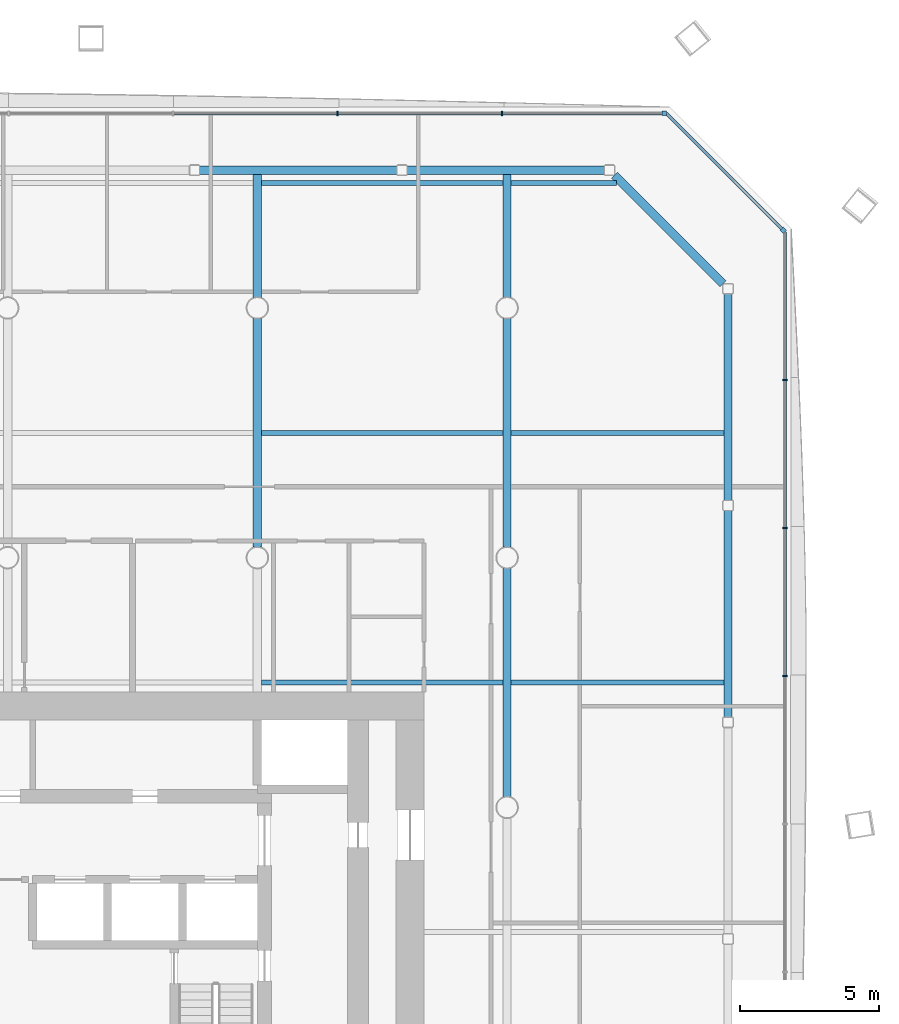
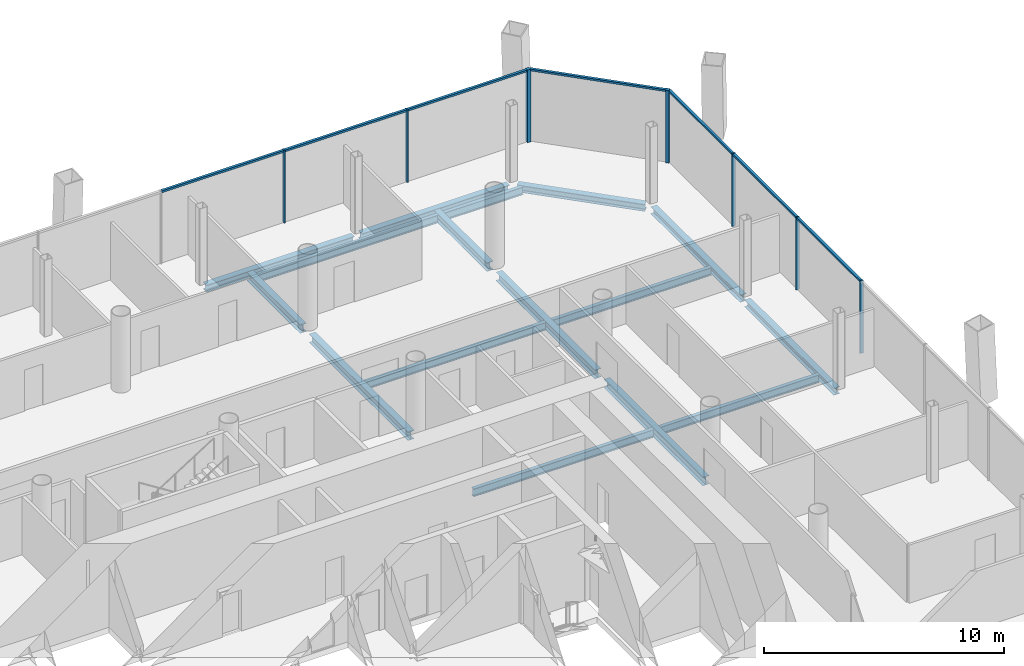
# One storey, part 9 of 19: 16 beams, 14 members, 3 elements without a shape of their own.
"""IFC4 building model written with IfcOpenShell, lengths in metres."""

from ifc_helpers import new_model, si_unit, direction, frame, origin, origin_2d, place, context, subcontext, project, spatial, rectangle, i_section, extrude, material, material_profile, profile_set, type_object, element, aggregate, save


model = new_model("IFC4")

# Units and contexts
model_context = context("Model", 3, precision=1e-05, world=origin(), true_north=direction((0.0, 1.0)))
body_context = subcontext(model_context, "Body", "Model", "MODEL_VIEW")
ifc_project = project(units=[si_unit("LENGTHUNIT", "METRE"), si_unit("AREAUNIT", "SQUARE_METRE"), si_unit("VOLUMEUNIT", "CUBIC_METRE"), si_unit("PLANEANGLEUNIT", "RADIAN"), si_unit("MASSUNIT", "GRAM", prefix="KILO")], contexts=[model_context])

# Site, building, storey
site_placement = place(None, origin())
site = spatial("IfcSite", under=ifc_project, at=site_placement, CompositionType="ELEMENT")
building_placement = place(site_placement, origin())
building = spatial("IfcBuilding", under=site, at=building_placement, Name="Tskaro Facet Tower", CompositionType="ELEMENT")
storey_placement = place(building_placement, frame((0.0, 0.0, 81.60009765625)))
storey = spatial("IfcBuildingStorey", under=building, at=storey_placement, Name="L19", CompositionType="ELEMENT", Elevation=81.60009765625)

# Curtain wall, member
ifc_material_1 = material(Name="Bronze anodised aluminium 6063-T6", Category="aluminium")
curtain_wall_type = type_object("IfcCurtainWallType", Name="Bronze office curtain wall (FW1)", PredefinedType="NOTDEFINED", material=ifc_material_1)
curtain_wall_1_placement = place(storey_placement, origin())
curtain_wall_1 = element("IfcCurtainWall", 1, at=curtain_wall_1_placement, inside=storey, type_object=curtain_wall_type, Name="FW1 north-east facet L19", PredefinedType="NOTDEFINED")
ifc_material_profile_1 = material_profile(ifc_material_1, rectangle(XDim=0.159912109375, YDim=0.159912109375, at=origin_2d()), Name="Corner post 160x160")
ifc_profile_set_1 = profile_set([ifc_material_profile_1], Name="Bronze anodised aluminium 6063-T6")
member_type_1 = type_object("IfcMemberType", Name="FW1 bronze corner post 160x160", PredefinedType="MULLION", material=ifc_profile_set_1)
member_1_placement = place(storey_placement, frame((27.954345703125, 20.800537109375, 0.0), z_axis=(0.0, 0.0, 1.0), x_axis=(-0.707106781187, 0.707106781187, 0.0)))
member_1 = element("IfcMember", 2, at=member_1_placement, type_object=member_type_1, Name="FW1 north-east corner post", PredefinedType="MULLION", context=body_context, shape_type="SweptSolid", body=[
    extrude(rectangle(XDim=0.159912109375, YDim=0.159912109375, at=origin_2d()), origin(), (0.0, 0.0, 1.0), 3.699951171875),
])

curtain_wall_2_placement = place(storey_placement, origin())
curtain_wall_2 = element("IfcCurtainWall", 3, at=curtain_wall_2_placement, inside=storey, type_object=curtain_wall_type, Name="FW1 north facet L19", PredefinedType="NOTDEFINED")
member_2_placement = place(storey_placement, frame((23.6640625, 25.010986328125, 0.0), z_axis=(0.0, 0.0, 1.0), x_axis=(-1.0, 0.0, 0.0)))
member_2 = element("IfcMember", 4, at=member_2_placement, type_object=member_type_1, Name="FW1 north corner post", PredefinedType="MULLION", context=body_context, shape_type="SweptSolid", body=[
    extrude(rectangle(XDim=0.159912109375, YDim=0.159912109375, at=origin_2d()), origin(), (0.0, 0.0, 1.0), 3.699951171875),
])

# Curtain wall, members
curtain_wall_3_placement = place(storey_placement, origin())
curtain_wall_3 = element("IfcCurtainWall", 5, at=curtain_wall_3_placement, inside=storey, type_object=curtain_wall_type, Name="FW1 east facet L19", PredefinedType="NOTDEFINED")
ifc_material_profile_2 = material_profile(ifc_material_1, rectangle(XDim=0.06005859375, YDim=0.159912109375, at=origin_2d()), Name="Mullion 60x160")
ifc_profile_set_2 = profile_set([ifc_material_profile_2], Name="Bronze anodised aluminium 6063-T6")
member_type_2 = type_object("IfcMemberType", Name="FW1 bronze mullion 60x160", PredefinedType="MULLION", material=ifc_profile_set_2)
member_3_placement = place(storey_placement, frame((28.010986328125, 4.73779296875, 0.0), z_axis=(0.0, 0.0, 1.0), x_axis=(0.0, 1.0, 0.0)))
member_3 = element("IfcMember", 6, at=member_3_placement, type_object=member_type_2, Name="FW1 east mullion 5", PredefinedType="MULLION", context=body_context, shape_type="SweptSolid", body=[
    extrude(rectangle(XDim=0.06005859375, YDim=0.159912109375, at=origin_2d()), origin(), (0.0, 0.0, 1.0), 3.699951171875),
])
member_4_placement = place(storey_placement, frame((28.010986328125, 10.0732421875, 0.0), z_axis=(0.0, 0.0, 1.0), x_axis=(0.0, 1.0, 0.0)))
member_4 = element("IfcMember", 7, at=member_4_placement, type_object=member_type_2, Name="FW1 east mullion 6", PredefinedType="MULLION", context=body_context, shape_type="SweptSolid", body=[
    extrude(rectangle(XDim=0.06005859375, YDim=0.159912109375, at=origin_2d()), origin(), (0.0, 0.0, 1.0), 3.699951171875),
])
member_5_placement = place(storey_placement, frame((28.010986328125, 15.40869140625, 0.0), z_axis=(0.0, 0.0, 1.0), x_axis=(0.0, 1.0, 0.0)))
member_5 = element("IfcMember", 8, at=member_5_placement, type_object=member_type_2, Name="FW1 east mullion 7", PredefinedType="MULLION", context=body_context, shape_type="SweptSolid", body=[
    extrude(rectangle(XDim=0.06005859375, YDim=0.159912109375, at=origin_2d()), origin(), (0.0, 0.0, 1.0), 3.699951171875),
])

# Member
member_6_placement = place(storey_placement, frame((17.817138671875, 25.010986328125, 0.0), z_axis=(0.0, 0.0, 1.0), x_axis=(-1.0, 0.0, 0.0)))
member_6 = element("IfcMember", 9, at=member_6_placement, type_object=member_type_2, Name="FW1 north mullion 1", PredefinedType="MULLION", context=body_context, shape_type="SweptSolid", body=[
    extrude(rectangle(XDim=0.06005859375, YDim=0.159912109375, at=origin_2d()), origin(), (0.0, 0.0, 1.0), 3.699951171875),
])

member_7_placement = place(storey_placement, frame((11.890380859375, 25.010986328125, 0.0), z_axis=(0.0, 0.0, 1.0), x_axis=(-1.0, 0.0, 0.0)))
member_7 = element("IfcMember", 10, at=member_7_placement, type_object=member_type_2, Name="FW1 north mullion 2", PredefinedType="MULLION", context=body_context, shape_type="SweptSolid", body=[
    extrude(rectangle(XDim=0.06005859375, YDim=0.159912109375, at=origin_2d()), origin(), (0.0, 0.0, 1.0), 3.699951171875),
])

ifc_material_profile_3 = material_profile(ifc_material_1, rectangle(XDim=0.1201171875, YDim=0.10009765625, at=origin_2d()), Name="Transom 120x100")
ifc_profile_set_3 = profile_set([ifc_material_profile_3], Name="Bronze anodised aluminium 6063-T6")
member_type_3 = type_object("IfcMemberType", Name="FW1 bronze transom 120x100", PredefinedType="USERDEFINED", material=ifc_profile_set_3)
member_8_placement = place(storey_placement, frame((28.010986328125, 4.767822265625, 3.64990234375), z_axis=(0.0, 1.0, 0.0), x_axis=(-1.0, 0.0, 0.0)))
member_8 = element("IfcMember", 11, at=member_8_placement, type_object=member_type_3, Name="FW1 east transom 6.1", ObjectType="TRANSOM", PredefinedType="USERDEFINED", context=body_context, shape_type="SweptSolid", body=[
    extrude(rectangle(XDim=0.1201171875, YDim=0.10009765625, at=origin_2d()), origin(), (0.0, 0.0, 1.0), 5.275390625),
])

member_9_placement = place(storey_placement, frame((28.010986328125, 10.103271484375, 3.64990234375), z_axis=(0.0, 1.0, 0.0), x_axis=(-1.0, 0.0, 0.0)))
member_9 = element("IfcMember", 12, at=member_9_placement, type_object=member_type_3, Name="FW1 east transom 7.1", ObjectType="TRANSOM", PredefinedType="USERDEFINED", context=body_context, shape_type="SweptSolid", body=[
    extrude(rectangle(XDim=0.1201171875, YDim=0.10009765625, at=origin_2d()), origin(), (0.0, 0.0, 1.0), 5.275390625),
])

member_10_placement = place(storey_placement, frame((28.010986328125, 15.438720703125, 3.64990234375), z_axis=(0.0, 1.0, 0.0), x_axis=(-1.0, 0.0, 0.0)))
member_10 = element("IfcMember", 13, at=member_10_placement, type_object=member_type_3, Name="FW1 east transom 8.1", ObjectType="TRANSOM", PredefinedType="USERDEFINED", context=body_context, shape_type="SweptSolid", body=[
    extrude(rectangle(XDim=0.1201171875, YDim=0.10009765625, at=origin_2d()), origin(), (0.0, 0.0, 1.0), 5.30517578125),
])

aggregate(curtain_wall_3, [member_3, member_4, member_5, member_8, member_9, member_10])

member_11_placement = place(storey_placement, frame((27.89794921875, 20.857177734375, 3.64990234375), z_axis=(-0.707127560416, 0.707086001347, 0.0), x_axis=(-0.707086001347, -0.707127560416, 0.0)))
member_11 = element("IfcMember", 14, at=member_11_placement, type_object=member_type_3, Name="FW1 north-east transom 1.1", ObjectType="TRANSOM", PredefinedType="USERDEFINED", context=body_context, shape_type="SweptSolid", body=[
    extrude(rectangle(XDim=0.1201171875, YDim=0.10009765625, at=origin_2d()), origin(), (0.0, 0.0, 1.0), 5.87451171875),
])

aggregate(curtain_wall_1, [member_1, member_11])

member_12_placement = place(storey_placement, frame((23.583984375, 25.010986328125, 3.64990234375), z_axis=(-1.0, 0.0, 0.0), x_axis=(0.0, -1.0, 0.0)))
member_12 = element("IfcMember", 15, at=member_12_placement, type_object=member_type_3, Name="FW1 north transom 1.1", ObjectType="TRANSOM", PredefinedType="USERDEFINED", context=body_context, shape_type="SweptSolid", body=[
    extrude(rectangle(XDim=0.1201171875, YDim=0.10009765625, at=origin_2d()), origin(), (0.0, 0.0, 1.0), 5.73681640625),
])

member_13_placement = place(storey_placement, frame((17.787109375, 25.010986328125, 3.64990234375), z_axis=(-1.0, 0.0, 0.0), x_axis=(0.0, -1.0, 0.0)))
member_13 = element("IfcMember", 16, at=member_13_placement, type_object=member_type_3, Name="FW1 north transom 2.1", ObjectType="TRANSOM", PredefinedType="USERDEFINED", context=body_context, shape_type="SweptSolid", body=[
    extrude(rectangle(XDim=0.1201171875, YDim=0.10009765625, at=origin_2d()), origin(), (0.0, 0.0, 1.0), 5.866943359375),
])

member_14_placement = place(storey_placement, frame((11.8603515625, 25.010986328125, 3.64990234375), z_axis=(-1.0, 0.0, 0.0), x_axis=(0.0, -1.0, 0.0)))
member_14 = element("IfcMember", 17, at=member_14_placement, type_object=member_type_3, Name="FW1 north transom 3.1", ObjectType="TRANSOM", PredefinedType="USERDEFINED", context=body_context, shape_type="SweptSolid", body=[
    extrude(rectangle(XDim=0.1201171875, YDim=0.10009765625, at=origin_2d()), origin(), (0.0, 0.0, 1.0), 5.866943359375),
])

aggregate(curtain_wall_2, [member_2, member_6, member_7, member_12, member_13, member_14])

# Beams
ifc_material_2 = material(Name="Steel S355J2", Category="steel")
ifc_material_profile_4 = material_profile(ifc_material_2, i_section(OverallWidth=0.300048828125, OverallDepth=0.360107421875, WebThickness=0.012451171875, FlangeThickness=0.0224609375, FilletRadius=0.027099609375, at=origin_2d()), Name="HE 360 B")
ifc_profile_set_4 = profile_set([ifc_material_profile_4], Name="Steel S355J2")
beam_type_1 = type_object("IfcBeamType", Name="HE 360 B ring beam", PredefinedType="BEAM", material=ifc_profile_set_4)
for number, where, z_axis, x_axis, name in (
    (18, (25.965087890625, 3.248046875, -0.320068359375), (0.0, 1.0, 0.0), (-1.0, 0.0, 0.0), "HE 360 B EB10-2"),
    (19, (25.965087890625, 11.05908203125, -0.320068359375), (0.0, 1.0, 0.0), (-1.0, 0.0, 0.0), "HE 360 B EB11-2"),
):
    element("IfcBeam", number, at=place(storey_placement, frame(where, z_axis=z_axis, x_axis=x_axis)), inside=storey, type_object=beam_type_1, Name=name, PredefinedType="BEAM", context=body_context, shape_type="SweptSolid", body=[
        extrude(i_section(OverallWidth=0.300048828125, OverallDepth=0.360107421875, WebThickness=0.012451171875, FlangeThickness=0.0224609375, FilletRadius=0.027099609375, at=origin_2d()), origin(), (0.0, 0.0, 1.0), 7.450927734375),
    ])
beam_1_placement = place(storey_placement, frame((25.779052734375, 18.8759765625, -0.320068359375), z_axis=(-0.707106781187, 0.707106781187, 0.0), x_axis=(-0.707106781187, -0.707106781187, 0.0)))
element("IfcBeam", 20, at=beam_1_placement, inside=storey, type_object=beam_type_1, Name="HE 360 B EB12-2", PredefinedType="BEAM", context=body_context, shape_type="SweptSolid", body=[
    extrude(i_section(OverallWidth=0.300048828125, OverallDepth=0.360107421875, WebThickness=0.012451171875, FlangeThickness=0.0224609375, FilletRadius=0.027099609375, at=origin_2d()), origin(), (0.0, 0.0, 1.0), 5.519775390625),
])
for number, where, z_axis, x_axis, name in (
    (21, (21.510009765625, 22.965087890625, -0.320068359375), (-1.0, 0.0, 0.0), (0.0, -1.0, 0.0), "HE 360 B EB13-2"),
    (22, (14.033935546875, 22.965087890625, -0.320068359375), (-1.0, 0.0, 0.0), (0.0, -1.0, 0.0), "HE 360 B EB14-2"),
):
    element("IfcBeam", number, at=place(storey_placement, frame(where, z_axis=z_axis, x_axis=x_axis)), inside=storey, type_object=beam_type_1, Name=name, PredefinedType="BEAM", context=body_context, shape_type="SweptSolid", body=[
        extrude(i_section(OverallWidth=0.300048828125, OverallDepth=0.360107421875, WebThickness=0.012451171875, FlangeThickness=0.0224609375, FilletRadius=0.027099609375, at=origin_2d()), origin(), (0.0, 0.0, 1.0), 7.115966796875),
    ])
ifc_material_profile_5 = material_profile(ifc_material_2, i_section(OverallWidth=0.300048828125, OverallDepth=0.43994140625, WebThickness=0.011474609375, FlangeThickness=0.02099609375, FilletRadius=0.027099609375, at=origin_2d()), Name="HE 450 A")
ifc_profile_set_5 = profile_set([ifc_material_profile_5], Name="Steel S355J2")
beam_type_2 = type_object("IfcBeamType", Name="HE 450 A girder", PredefinedType="BEAM", material=ifc_profile_set_5)
beam_2_placement = place(storey_placement, frame((9.0, 9.37646484375, -0.360107421875), z_axis=(0.0, 1.0, 0.0), x_axis=(-1.0, 0.0, 0.0)))
element("IfcBeam", 23, at=beam_2_placement, inside=storey, type_object=beam_type_2, Name="HE 450 A GB5-4-2", PredefinedType="BEAM", context=body_context, shape_type="SweptSolid", body=[
    extrude(i_section(OverallWidth=0.300048828125, OverallDepth=0.43994140625, WebThickness=0.011474609375, FlangeThickness=0.02099609375, FilletRadius=0.027099609375, at=origin_2d()), origin(), (0.0, 0.0, 1.0), 8.2470703125),
])
beam_3_placement = place(storey_placement, frame((9.0, 18.37646484375, -0.360107421875), z_axis=(0.0, 1.0, 0.0), x_axis=(-1.0, 0.0, 0.0)))
element("IfcBeam", 24, at=beam_3_placement, inside=storey, type_object=beam_type_2, Name="HE 450 A GB5-5-2", PredefinedType="BEAM", context=body_context, shape_type="SweptSolid", body=[
    extrude(i_section(OverallWidth=0.300048828125, OverallDepth=0.43994140625, WebThickness=0.011474609375, FlangeThickness=0.02099609375, FilletRadius=0.027099609375, at=origin_2d()), origin(), (0.0, 0.0, 1.0), 4.4384765625),
])
for number, where, z_axis, x_axis, name in (
    (25, (18.0, 0.37646484375, -0.360107421875), (0.0, 1.0, 0.0), (-1.0, 0.0, 0.0), "HE 450 A GB6-4-2"),
    (26, (18.0, 9.37646484375, -0.360107421875), (0.0, 1.0, 0.0), (-1.0, 0.0, 0.0), "HE 450 A GB6-5-2"),
):
    element("IfcBeam", number, at=place(storey_placement, frame(where, z_axis=z_axis, x_axis=x_axis)), inside=storey, type_object=beam_type_2, Name=name, PredefinedType="BEAM", context=body_context, shape_type="SweptSolid", body=[
        extrude(i_section(OverallWidth=0.300048828125, OverallDepth=0.43994140625, WebThickness=0.011474609375, FlangeThickness=0.02099609375, FilletRadius=0.027099609375, at=origin_2d()), origin(), (0.0, 0.0, 1.0), 8.2470703125),
    ])
beam_4_placement = place(storey_placement, frame((18.0, 18.37646484375, -0.360107421875), z_axis=(0.0, 1.0, 0.0), x_axis=(-1.0, 0.0, 0.0)))
element("IfcBeam", 27, at=beam_4_placement, inside=storey, type_object=beam_type_2, Name="HE 450 A GB6-6-2", PredefinedType="BEAM", context=body_context, shape_type="SweptSolid", body=[
    extrude(i_section(OverallWidth=0.300048828125, OverallDepth=0.43994140625, WebThickness=0.011474609375, FlangeThickness=0.02099609375, FilletRadius=0.027099609375, at=origin_2d()), origin(), (0.0, 0.0, 1.0), 4.4384765625),
])
ifc_material_profile_6 = material_profile(ifc_material_2, i_section(OverallWidth=0.179931640625, OverallDepth=0.39990234375, WebThickness=0.008544921875, FlangeThickness=0.013427734375, FilletRadius=0.02099609375, at=origin_2d()), Name="IPE 400")
ifc_profile_set_6 = profile_set([ifc_material_profile_6], Name="Steel S355J2")
beam_type_3 = type_object("IfcBeamType", Name="IPE 400 secondary beam", PredefinedType="BEAM", material=ifc_profile_set_6)
beam_5_placement = place(storey_placement, frame((9.14990234375, 4.5, -0.340087890625), z_axis=(1.0, 0.0, 0.0), x_axis=(0.0, 1.0, 0.0)))
element("IfcBeam", 28, at=beam_5_placement, inside=storey, type_object=beam_type_3, Name="IPE 400 SB4a-4-2", PredefinedType="BEAM", context=body_context, shape_type="SweptSolid", body=[
    extrude(i_section(OverallWidth=0.179931640625, OverallDepth=0.39990234375, WebThickness=0.008544921875, FlangeThickness=0.013427734375, FilletRadius=0.02099609375, at=origin_2d()), origin(), (0.0, 0.0, 1.0), 8.7001953125),
])
beam_6_placement = place(storey_placement, frame((18.14990234375, 4.5, -0.340087890625), z_axis=(1.0, 0.0, 0.0), x_axis=(0.0, 1.0, 0.0)))
element("IfcBeam", 29, at=beam_6_placement, inside=storey, type_object=beam_type_3, Name="IPE 400 SB4a-5-2", PredefinedType="BEAM", context=body_context, shape_type="SweptSolid", body=[
    extrude(i_section(OverallWidth=0.179931640625, OverallDepth=0.39990234375, WebThickness=0.008544921875, FlangeThickness=0.013427734375, FilletRadius=0.02099609375, at=origin_2d()), origin(), (0.0, 0.0, 1.0), 7.6650390625),
])
beam_7_placement = place(storey_placement, frame((9.14990234375, 13.5, -0.340087890625), z_axis=(1.0, 0.0, 0.0), x_axis=(0.0, 1.0, 0.0)))
element("IfcBeam", 30, at=beam_7_placement, inside=storey, type_object=beam_type_3, Name="IPE 400 SB5a-4-2", PredefinedType="BEAM", context=body_context, shape_type="SweptSolid", body=[
    extrude(i_section(OverallWidth=0.179931640625, OverallDepth=0.39990234375, WebThickness=0.008544921875, FlangeThickness=0.013427734375, FilletRadius=0.02099609375, at=origin_2d()), origin(), (0.0, 0.0, 1.0), 8.7001953125),
])
beam_8_placement = place(storey_placement, frame((18.14990234375, 13.5, -0.340087890625), z_axis=(1.0, 0.0, 0.0), x_axis=(0.0, 1.0, 0.0)))
element("IfcBeam", 31, at=beam_8_placement, inside=storey, type_object=beam_type_3, Name="IPE 400 SB5a-5-2", PredefinedType="BEAM", context=body_context, shape_type="SweptSolid", body=[
    extrude(i_section(OverallWidth=0.179931640625, OverallDepth=0.39990234375, WebThickness=0.008544921875, FlangeThickness=0.013427734375, FilletRadius=0.02099609375, at=origin_2d()), origin(), (0.0, 0.0, 1.0), 7.6650390625),
])
beam_9_placement = place(storey_placement, frame((9.14990234375, 22.5, -0.340087890625), z_axis=(1.0, 0.0, 0.0), x_axis=(0.0, 1.0, 0.0)))
element("IfcBeam", 32, at=beam_9_placement, inside=storey, type_object=beam_type_3, Name="IPE 400 SB6a-4-2", PredefinedType="BEAM", context=body_context, shape_type="SweptSolid", body=[
    extrude(i_section(OverallWidth=0.179931640625, OverallDepth=0.39990234375, WebThickness=0.008544921875, FlangeThickness=0.013427734375, FilletRadius=0.02099609375, at=origin_2d()), origin(), (0.0, 0.0, 1.0), 8.7001953125),
])
beam_10_placement = place(storey_placement, frame((18.14990234375, 22.5, -0.340087890625), z_axis=(1.0, 0.0, 0.0), x_axis=(0.0, 1.0, 0.0)))
element("IfcBeam", 33, at=beam_10_placement, inside=storey, type_object=beam_type_3, Name="IPE 400 SB6a-5-2", PredefinedType="BEAM", context=body_context, shape_type="SweptSolid", body=[
    extrude(i_section(OverallWidth=0.179931640625, OverallDepth=0.39990234375, WebThickness=0.008544921875, FlangeThickness=0.013427734375, FilletRadius=0.02099609375, at=origin_2d()), origin(), (0.0, 0.0, 1.0), 3.793212890625),
])

save(model, "model.ifc")
